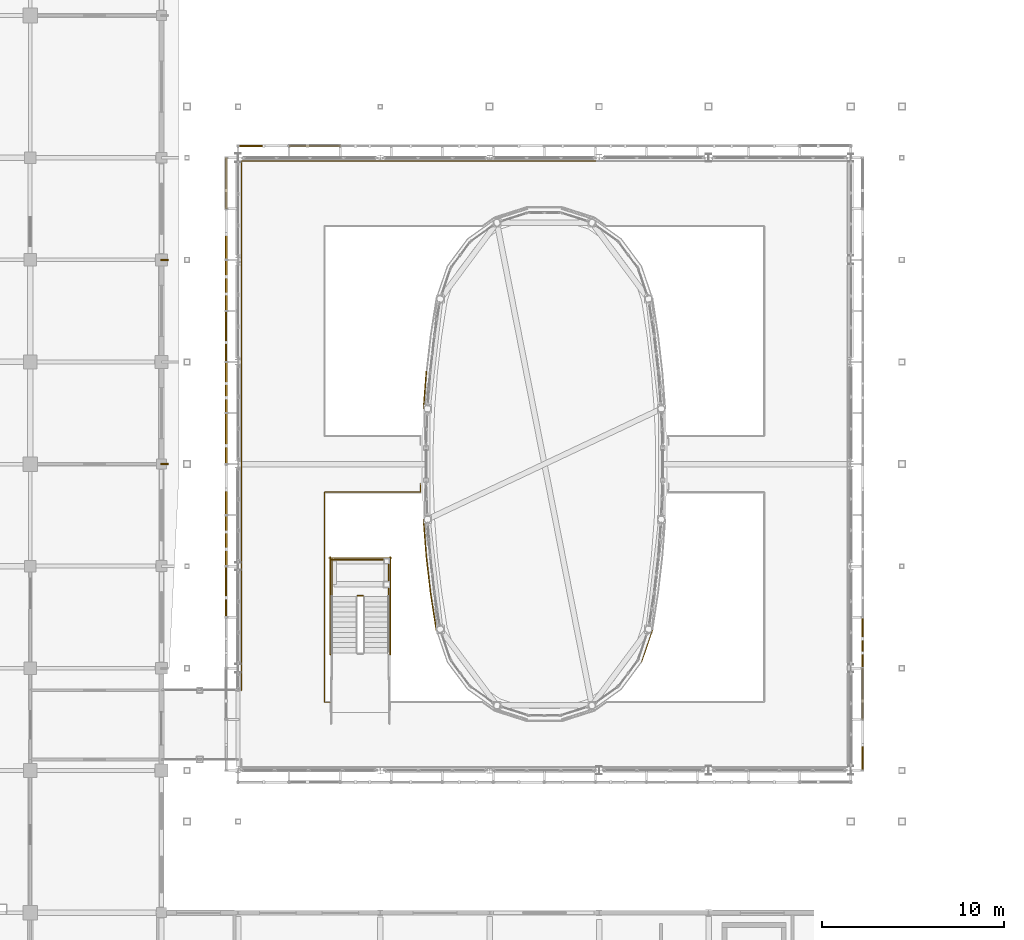
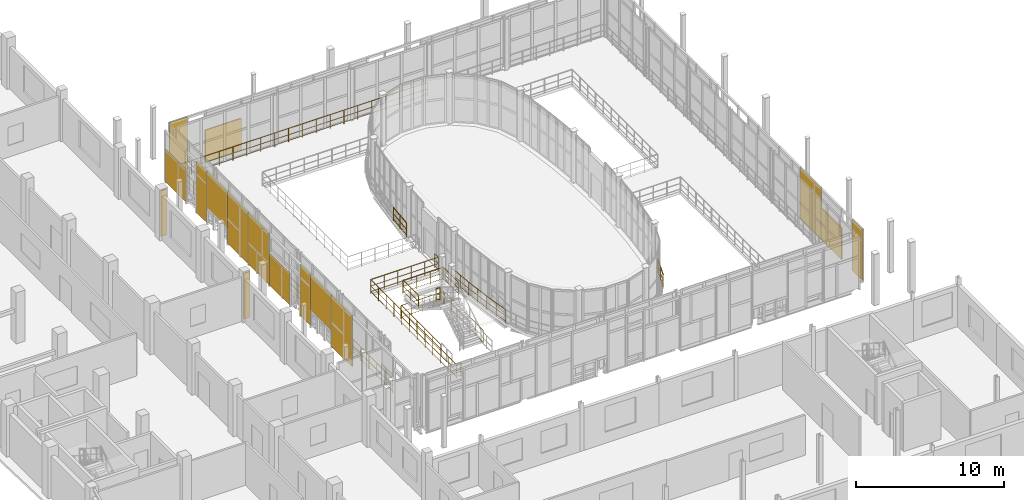
# One storey, part 112 of 121: 16 shading devices, 14 railings.
"""IFC4 building model written with IfcOpenShell, lengths in metres."""

from ifc_helpers import new_model, si_unit, direction, frame, origin, origin_2d, place, context, subcontext, project, spatial, rectangle, circle, extrude, material, type_object, element, save


model = new_model("IFC4")

# Units and contexts
model_context = context("Model", 3, precision=1e-05, world=origin(), true_north=direction((0.0, 1.0)))
body_context = subcontext(model_context, "Body", "Model", "MODEL_VIEW")
ifc_project = project(units=[si_unit("LENGTHUNIT", "METRE"), si_unit("AREAUNIT", "SQUARE_METRE"), si_unit("VOLUMEUNIT", "CUBIC_METRE"), si_unit("PLANEANGLEUNIT", "RADIAN"), si_unit("MASSUNIT", "GRAM", prefix="KILO")], contexts=[model_context])

# Site, building, storey
site_placement = place(None, origin())
site = spatial("IfcSite", under=ifc_project, at=site_placement, CompositionType="ELEMENT")
building_placement = place(site_placement, origin())
building = spatial("IfcBuilding", under=site, at=building_placement, Name="Vinh Khe Railworks Police Headquarters", CompositionType="ELEMENT")
storey_placement = place(building_placement, frame((0.0, 0.0, 4.800048828125)))
storey = spatial("IfcBuildingStorey", under=building, at=storey_placement, Name="L01", CompositionType="ELEMENT", Elevation=4.800048828125)

# Railings
ifc_material_1 = material(Name="Dark steel and laminated safety glass", Category="steel")
railing_type_1 = type_object("IfcRailingType", Name="RL-ATRIUM-1150", PredefinedType="BALUSTRADE", material=ifc_material_1)
railing_1_placement = place(storey_placement, frame((33.25, 34.780029296875, 2.099853515625)))
element("IfcRailing", 1, at=railing_1_placement, inside=storey, type_object=railing_type_1, Name="L01 ST-08 stair guard 2", PredefinedType="BALUSTRADE", context=body_context, shape_type="SweptSolid", body=[
    extrude(circle(Radius=0.02392578125, at=origin_2d()), frame((0.0, 0.0, 1.076171875), z_axis=(-1.0, 0.0, 0.0), x_axis=(0.0, -1.0, 0.0)), (0.0, 0.0, 1.0), 0.300048828125),
    extrude(circle(Radius=0.01416015625, at=origin_2d()), frame((0.0, 0.0, 0.132080078125), z_axis=(-1.0, 0.0, 0.0), x_axis=(0.0, -1.0, 0.0)), (0.0, 0.0, 1.0), 0.300048828125),
    extrude(circle(Radius=0.01416015625, at=origin_2d()), frame((0.0, 0.0, 0.572021484375), z_axis=(-1.0, 0.0, 0.0), x_axis=(0.0, -1.0, 0.0)), (0.0, 0.0, 1.0), 0.300048828125),
    extrude(circle(Radius=0.02099609375, at=origin_2d()), origin(), (0.0, 0.0, 1.0), 1.052001953125),
    extrude(circle(Radius=0.02099609375, at=origin_2d()), frame((-0.300048828125, 0.0, 0.0)), (0.0, 0.0, 1.0), 1.052001953125),
])
for number, where, name in (
    (2, (34.64990234375, 34.72998046875, 2.099853515625), "L01 ST-08 stair guard 3"),
    (3, (31.550048828125, 34.72998046875, 2.099853515625), "L01 ST-08 stair guard 4"),
):
    element("IfcRailing", number, at=place(storey_placement, frame(where)), inside=storey, type_object=railing_type_1, Name=name, PredefinedType="BALUSTRADE", context=body_context, shape_type="SweptSolid", body=[
        extrude(circle(Radius=0.02392578125, at=origin_2d()), frame((0.0, 0.0, 1.076171875), z_axis=(0.0, 1.0, 0.0), x_axis=(-1.0, 0.0, 0.0)), (0.0, 0.0, 1.0), 2.070068359375),
        extrude(circle(Radius=0.01416015625, at=origin_2d()), frame((0.0, 0.0, 0.132080078125), z_axis=(0.0, 1.0, 0.0), x_axis=(-1.0, 0.0, 0.0)), (0.0, 0.0, 1.0), 2.070068359375),
        extrude(circle(Radius=0.01416015625, at=origin_2d()), frame((0.0, 0.0, 0.572021484375), z_axis=(0.0, 1.0, 0.0), x_axis=(-1.0, 0.0, 0.0)), (0.0, 0.0, 1.0), 2.070068359375),
        extrude(circle(Radius=0.02099609375, at=origin_2d()), origin(), (0.0, 0.0, 1.0), 1.052001953125),
        extrude(circle(Radius=0.02099609375, at=origin_2d()), frame((0.0, 1.03515625, 0.0)), (0.0, 0.0, 1.0), 1.052001953125),
        extrude(circle(Radius=0.02099609375, at=origin_2d()), frame((0.0, 2.070068359375, 0.0)), (0.0, 0.0, 1.0), 1.052001953125),
    ])
railing_2_placement = place(storey_placement, frame((34.699951171875, 36.75, 2.099853515625)))
element("IfcRailing", 4, at=railing_2_placement, inside=storey, type_object=railing_type_1, Name="L01 ST-08 stair guard 5", PredefinedType="BALUSTRADE", context=body_context, shape_type="SweptSolid", body=[
    extrude(circle(Radius=0.02392578125, at=origin_2d()), frame((0.0, 0.0, 1.076171875), z_axis=(-1.0, 0.0, 0.0), x_axis=(0.0, -1.0, 0.0)), (0.0, 0.0, 1.0), 3.199951171875),
    extrude(circle(Radius=0.01416015625, at=origin_2d()), frame((0.0, 0.0, 0.132080078125), z_axis=(-1.0, 0.0, 0.0), x_axis=(0.0, -1.0, 0.0)), (0.0, 0.0, 1.0), 3.199951171875),
    extrude(circle(Radius=0.01416015625, at=origin_2d()), frame((0.0, 0.0, 0.572021484375), z_axis=(-1.0, 0.0, 0.0), x_axis=(0.0, -1.0, 0.0)), (0.0, 0.0, 1.0), 3.199951171875),
    extrude(circle(Radius=0.02099609375, at=origin_2d()), origin(), (0.0, 0.0, 1.0), 1.052001953125),
    extrude(circle(Radius=0.02099609375, at=origin_2d()), frame((-1.066650390625, 0.0, 0.0)), (0.0, 0.0, 1.0), 1.052001953125),
    extrude(circle(Radius=0.02099609375, at=origin_2d()), frame((-2.13330078125, 0.0, 0.0)), (0.0, 0.0, 1.0), 1.052001953125),
    extrude(circle(Radius=0.02099609375, at=origin_2d()), frame((-3.199951171875, 0.0, 0.0)), (0.0, 0.0, 1.0), 1.052001953125),
])
for number, where, name in (
    (5, (34.75, 31.550048828125, 0.0), "L01 ST-08 stair guard 10"),
    (6, (31.449951171875, 31.550048828125, 0.0), "L01 ST-08 stair guard 11"),
):
    element("IfcRailing", number, at=place(storey_placement, frame(where)), inside=storey, type_object=railing_type_1, Name=name, PredefinedType="BALUSTRADE", context=body_context, shape_type="SweptSolid", body=[
        extrude(circle(Radius=0.02392578125, at=origin_2d()), frame((0.0, 0.0, 1.076171875), z_axis=(0.0, 1.0, 0.0), x_axis=(-1.0, 0.0, 0.0)), (0.0, 0.0, 1.0), 5.349853515625),
        extrude(circle(Radius=0.01416015625, at=origin_2d()), frame((0.0, 0.0, 0.132080078125), z_axis=(0.0, 1.0, 0.0), x_axis=(-1.0, 0.0, 0.0)), (0.0, 0.0, 1.0), 5.349853515625),
        extrude(circle(Radius=0.01416015625, at=origin_2d()), frame((0.0, 0.0, 0.572021484375), z_axis=(0.0, 1.0, 0.0), x_axis=(-1.0, 0.0, 0.0)), (0.0, 0.0, 1.0), 5.349853515625),
        extrude(circle(Radius=0.02099609375, at=origin_2d()), origin(), (0.0, 0.0, 1.0), 1.052001953125),
        extrude(circle(Radius=0.02099609375, at=origin_2d()), frame((0.0, 1.070068359375, 0.0)), (0.0, 0.0, 1.0), 1.052001953125),
        extrude(circle(Radius=0.02099609375, at=origin_2d()), frame((0.0, 2.139892578125, 0.0)), (0.0, 0.0, 1.0), 1.052001953125),
        extrude(circle(Radius=0.02099609375, at=origin_2d()), frame((0.0, 3.2099609375, 0.0)), (0.0, 0.0, 1.0), 1.052001953125),
        extrude(circle(Radius=0.02099609375, at=origin_2d()), frame((0.0, 4.27978515625, 0.0)), (0.0, 0.0, 1.0), 1.052001953125),
        extrude(circle(Radius=0.02099609375, at=origin_2d()), frame((0.0, 5.349853515625, 0.0)), (0.0, 0.0, 1.0), 1.052001953125),
    ])
railing_3_placement = place(storey_placement, frame((34.800048828125, 36.85009765625, 0.0)))
element("IfcRailing", 7, at=railing_3_placement, inside=storey, type_object=railing_type_1, Name="L01 ST-08 stair guard 12", PredefinedType="BALUSTRADE", context=body_context, shape_type="SweptSolid", body=[
    extrude(circle(Radius=0.02392578125, at=origin_2d()), frame((0.0, 0.0, 1.076171875), z_axis=(-1.0, 0.0, 0.0), x_axis=(0.0, -1.0, 0.0)), (0.0, 0.0, 1.0), 3.400146484375),
    extrude(circle(Radius=0.01416015625, at=origin_2d()), frame((0.0, 0.0, 0.132080078125), z_axis=(-1.0, 0.0, 0.0), x_axis=(0.0, -1.0, 0.0)), (0.0, 0.0, 1.0), 3.400146484375),
    extrude(circle(Radius=0.01416015625, at=origin_2d()), frame((0.0, 0.0, 0.572021484375), z_axis=(-1.0, 0.0, 0.0), x_axis=(0.0, -1.0, 0.0)), (0.0, 0.0, 1.0), 3.400146484375),
    extrude(circle(Radius=0.02099609375, at=origin_2d()), origin(), (0.0, 0.0, 1.0), 1.052001953125),
    extrude(circle(Radius=0.02099609375, at=origin_2d()), frame((-0.85009765625, 0.0, 0.0)), (0.0, 0.0, 1.0), 1.052001953125),
    extrude(circle(Radius=0.02099609375, at=origin_2d()), frame((-1.7001953125, 0.0, 0.0)), (0.0, 0.0, 1.0), 1.052001953125),
    extrude(circle(Radius=0.02099609375, at=origin_2d()), frame((-2.550048828125, 0.0, 0.0)), (0.0, 0.0, 1.0), 1.052001953125),
    extrude(circle(Radius=0.02099609375, at=origin_2d()), frame((-3.400146484375, 0.0, 0.0)), (0.0, 0.0, 1.0), 1.052001953125),
])
railing_4_placement = place(storey_placement, frame((31.52001953125, 28.93994140625, 0.0)))
element("IfcRailing", 8, at=railing_4_placement, inside=storey, type_object=railing_type_1, Name="Atrium Balustrade GR-V1HOLE-L01-1-02", PredefinedType="BALUSTRADE", context=body_context, shape_type="SweptSolid", body=[
    extrude(circle(Radius=0.02392578125, at=origin_2d()), frame((0.0, 0.0, 1.1259765625), z_axis=(-1.0, 0.0, 0.0), x_axis=(0.0, -1.0, 0.0)), (0.0, 0.0, 1.0), 0.380126953125),
    extrude(circle(Radius=0.01416015625, at=origin_2d()), frame((0.0, 0.0, 0.137939453125), z_axis=(-1.0, 0.0, 0.0), x_axis=(0.0, -1.0, 0.0)), (0.0, 0.0, 1.0), 0.380126953125),
    extrude(circle(Radius=0.01416015625, at=origin_2d()), frame((0.0, 0.0, 0.597900390625), z_axis=(-1.0, 0.0, 0.0), x_axis=(0.0, -1.0, 0.0)), (0.0, 0.0, 1.0), 0.380126953125),
    extrude(circle(Radius=0.02392578125, at=origin_2d()), frame((-0.380126953125, 0.0, 1.1259765625), z_axis=(0.0, 1.0, 0.0), x_axis=(-1.0, 0.0, 0.0)), (0.0, 0.0, 1.0), 11.52001953125),
    extrude(circle(Radius=0.01416015625, at=origin_2d()), frame((-0.380126953125, 0.0, 0.137939453125), z_axis=(0.0, 1.0, 0.0), x_axis=(-1.0, 0.0, 0.0)), (0.0, 0.0, 1.0), 11.52001953125),
    extrude(circle(Radius=0.01416015625, at=origin_2d()), frame((-0.380126953125, 0.0, 0.597900390625), z_axis=(0.0, 1.0, 0.0), x_axis=(-1.0, 0.0, 0.0)), (0.0, 0.0, 1.0), 11.52001953125),
    extrude(circle(Radius=0.02392578125, at=origin_2d()), frame((-0.380126953125, 11.52001953125, 1.1259765625), z_axis=(1.0, 0.0, 0.0), x_axis=(0.0, 1.0, 0.0)), (0.0, 0.0, 1.0), 5.27001953125),
    extrude(circle(Radius=0.01416015625, at=origin_2d()), frame((-0.380126953125, 11.52001953125, 0.137939453125), z_axis=(1.0, 0.0, 0.0), x_axis=(0.0, 1.0, 0.0)), (0.0, 0.0, 1.0), 5.27001953125),
    extrude(circle(Radius=0.01416015625, at=origin_2d()), frame((-0.380126953125, 11.52001953125, 0.597900390625), z_axis=(1.0, 0.0, 0.0), x_axis=(0.0, 1.0, 0.0)), (0.0, 0.0, 1.0), 5.27001953125),
    extrude(circle(Radius=0.02392578125, at=origin_2d()), frame((4.889892578125, 11.52001953125, 1.1259765625), z_axis=(-0.038337515315, 0.999264847235, 0.0), x_axis=(-0.999264847235, -0.038337515315, 0.0)), (0.0, 0.0, 1.0), 0.490234375),
    extrude(circle(Radius=0.01416015625, at=origin_2d()), frame((4.889892578125, 11.52001953125, 0.137939453125), z_axis=(-0.038337515315, 0.999264847235, 0.0), x_axis=(-0.999264847235, -0.038337515315, 0.0)), (0.0, 0.0, 1.0), 0.490234375),
    extrude(circle(Radius=0.01416015625, at=origin_2d()), frame((4.889892578125, 11.52001953125, 0.597900390625), z_axis=(-0.038337515315, 0.999264847235, 0.0), x_axis=(-0.999264847235, -0.038337515315, 0.0)), (0.0, 0.0, 1.0), 0.490234375),
    extrude(circle(Radius=0.02099609375, at=origin_2d()), origin(), (0.0, 0.0, 1.0), 1.101806640625),
    extrude(circle(Radius=0.02099609375, at=origin_2d()), frame((-0.380126953125, 0.0, 0.0)), (0.0, 0.0, 1.0), 1.101806640625),
    extrude(circle(Radius=0.02099609375, at=origin_2d()), frame((-0.380126953125, 1.04736328125, 0.0)), (0.0, 0.0, 1.0), 1.101806640625),
    extrude(circle(Radius=0.02099609375, at=origin_2d()), frame((-0.380126953125, 2.094482421875, 0.0)), (0.0, 0.0, 1.0), 1.101806640625),
    extrude(circle(Radius=0.02099609375, at=origin_2d()), frame((-0.380126953125, 3.141845703125, 0.0)), (0.0, 0.0, 1.0), 1.101806640625),
    extrude(circle(Radius=0.02099609375, at=origin_2d()), frame((-0.380126953125, 4.189208984375, 0.0)), (0.0, 0.0, 1.0), 1.101806640625),
    extrude(circle(Radius=0.02099609375, at=origin_2d()), frame((-0.380126953125, 5.236328125, 0.0)), (0.0, 0.0, 1.0), 1.101806640625),
    extrude(circle(Radius=0.02099609375, at=origin_2d()), frame((-0.380126953125, 6.28369140625, 0.0)), (0.0, 0.0, 1.0), 1.101806640625),
    extrude(circle(Radius=0.02099609375, at=origin_2d()), frame((-0.380126953125, 7.330810546875, 0.0)), (0.0, 0.0, 1.0), 1.101806640625),
    extrude(circle(Radius=0.02099609375, at=origin_2d()), frame((-0.380126953125, 8.378173828125, 0.0)), (0.0, 0.0, 1.0), 1.101806640625),
    extrude(circle(Radius=0.02099609375, at=origin_2d()), frame((-0.380126953125, 9.425537109375, 0.0)), (0.0, 0.0, 1.0), 1.101806640625),
    extrude(circle(Radius=0.02099609375, at=origin_2d()), frame((-0.380126953125, 10.47265625, 0.0)), (0.0, 0.0, 1.0), 1.101806640625),
    extrude(circle(Radius=0.02099609375, at=origin_2d()), frame((-0.380126953125, 11.52001953125, 0.0)), (0.0, 0.0, 1.0), 1.101806640625),
    extrude(circle(Radius=0.02099609375, at=origin_2d()), frame((0.673828125, 11.52001953125, 0.0)), (0.0, 0.0, 1.0), 1.101806640625),
    extrude(circle(Radius=0.02099609375, at=origin_2d()), frame((1.727783203125, 11.52001953125, 0.0)), (0.0, 0.0, 1.0), 1.101806640625),
    extrude(circle(Radius=0.02099609375, at=origin_2d()), frame((2.781982421875, 11.52001953125, 0.0)), (0.0, 0.0, 1.0), 1.101806640625),
    extrude(circle(Radius=0.02099609375, at=origin_2d()), frame((3.8359375, 11.52001953125, 0.0)), (0.0, 0.0, 1.0), 1.101806640625),
    extrude(circle(Radius=0.02099609375, at=origin_2d()), frame((4.889892578125, 11.52001953125, 0.0)), (0.0, 0.0, 1.0), 1.101806640625),
    extrude(circle(Radius=0.02099609375, at=origin_2d()), frame((4.87109375, 12.010009765625, 0.0)), (0.0, 0.0, 1.0), 1.101806640625),
])
railing_5_placement = place(storey_placement, frame((46.02490234375, 58.6201171875, 0.0)))
element("IfcRailing", 9, at=railing_5_placement, inside=storey, type_object=railing_type_1, Name="Atrium Balustrade GR-V1PERIM-L01-06", PredefinedType="BALUSTRADE", context=body_context, shape_type="SweptSolid", body=[
    extrude(circle(Radius=0.02392578125, at=origin_2d()), frame((0.0, 0.0, 1.1259765625), z_axis=(-1.0, 0.0, 0.0), x_axis=(0.0, -1.0, 0.0)), (0.0, 0.0, 1.0), 19.44482421875),
    extrude(circle(Radius=0.01416015625, at=origin_2d()), frame((0.0, 0.0, 0.137939453125), z_axis=(-1.0, 0.0, 0.0), x_axis=(0.0, -1.0, 0.0)), (0.0, 0.0, 1.0), 19.44482421875),
    extrude(circle(Radius=0.01416015625, at=origin_2d()), frame((0.0, 0.0, 0.597900390625), z_axis=(-1.0, 0.0, 0.0), x_axis=(0.0, -1.0, 0.0)), (0.0, 0.0, 1.0), 19.44482421875),
    extrude(circle(Radius=0.02392578125, at=origin_2d()), frame((-19.44482421875, 0.0, 1.1259765625), z_axis=(0.0, -1.0, 0.0), x_axis=(1.0, 0.0, 0.0)), (0.0, 0.0, 1.0), 29.0400390625),
    extrude(circle(Radius=0.01416015625, at=origin_2d()), frame((-19.44482421875, 0.0, 0.137939453125), z_axis=(0.0, -1.0, 0.0), x_axis=(1.0, 0.0, 0.0)), (0.0, 0.0, 1.0), 29.0400390625),
    extrude(circle(Radius=0.01416015625, at=origin_2d()), frame((-19.44482421875, 0.0, 0.597900390625), z_axis=(0.0, -1.0, 0.0), x_axis=(1.0, 0.0, 0.0)), (0.0, 0.0, 1.0), 29.0400390625),
    extrude(circle(Radius=0.02099609375, at=origin_2d()), origin(), (0.0, 0.0, 1.0), 1.101806640625),
    extrude(circle(Radius=0.02099609375, at=origin_2d()), frame((-1.080322265625, 0.0, 0.0)), (0.0, 0.0, 1.0), 1.101806640625),
    extrude(circle(Radius=0.02099609375, at=origin_2d()), frame((-2.16064453125, 0.0, 0.0)), (0.0, 0.0, 1.0), 1.101806640625),
    extrude(circle(Radius=0.02099609375, at=origin_2d()), frame((-3.24072265625, 0.0, 0.0)), (0.0, 0.0, 1.0), 1.101806640625),
    extrude(circle(Radius=0.02099609375, at=origin_2d()), frame((-4.321044921875, 0.0, 0.0)), (0.0, 0.0, 1.0), 1.101806640625),
    extrude(circle(Radius=0.02099609375, at=origin_2d()), frame((-5.4013671875, 0.0, 0.0)), (0.0, 0.0, 1.0), 1.101806640625),
    extrude(circle(Radius=0.02099609375, at=origin_2d()), frame((-6.481689453125, 0.0, 0.0)), (0.0, 0.0, 1.0), 1.101806640625),
    extrude(circle(Radius=0.02099609375, at=origin_2d()), frame((-7.561767578125, 0.0, 0.0)), (0.0, 0.0, 1.0), 1.101806640625),
    extrude(circle(Radius=0.02099609375, at=origin_2d()), frame((-8.64208984375, 0.0, 0.0)), (0.0, 0.0, 1.0), 1.101806640625),
    extrude(circle(Radius=0.02099609375, at=origin_2d()), frame((-9.722412109375, 0.0, 0.0)), (0.0, 0.0, 1.0), 1.101806640625),
    extrude(circle(Radius=0.02099609375, at=origin_2d()), frame((-10.802734375, 0.0, 0.0)), (0.0, 0.0, 1.0), 1.101806640625),
    extrude(circle(Radius=0.02099609375, at=origin_2d()), frame((-11.883056640625, 0.0, 0.0)), (0.0, 0.0, 1.0), 1.101806640625),
    extrude(circle(Radius=0.02099609375, at=origin_2d()), frame((-12.963134765625, 0.0, 0.0)), (0.0, 0.0, 1.0), 1.101806640625),
    extrude(circle(Radius=0.02099609375, at=origin_2d()), frame((-14.04345703125, 0.0, 0.0)), (0.0, 0.0, 1.0), 1.101806640625),
    extrude(circle(Radius=0.02099609375, at=origin_2d()), frame((-15.123779296875, 0.0, 0.0)), (0.0, 0.0, 1.0), 1.101806640625),
    extrude(circle(Radius=0.02099609375, at=origin_2d()), frame((-16.2041015625, 0.0, 0.0)), (0.0, 0.0, 1.0), 1.101806640625),
    extrude(circle(Radius=0.02099609375, at=origin_2d()), frame((-17.2841796875, 0.0, 0.0)), (0.0, 0.0, 1.0), 1.101806640625),
    extrude(circle(Radius=0.02099609375, at=origin_2d()), frame((-18.364501953125, 0.0, 0.0)), (0.0, 0.0, 1.0), 1.101806640625),
    extrude(circle(Radius=0.02099609375, at=origin_2d()), frame((-19.44482421875, 0.0, 0.0)), (0.0, 0.0, 1.0), 1.101806640625),
    extrude(circle(Radius=0.02099609375, at=origin_2d()), frame((-19.44482421875, -1.075439453125, 0.0)), (0.0, 0.0, 1.0), 1.101806640625),
    extrude(circle(Radius=0.02099609375, at=origin_2d()), frame((-19.44482421875, -2.151123046875, 0.0)), (0.0, 0.0, 1.0), 1.101806640625),
    extrude(circle(Radius=0.02099609375, at=origin_2d()), frame((-19.44482421875, -3.2265625, 0.0)), (0.0, 0.0, 1.0), 1.101806640625),
    extrude(circle(Radius=0.02099609375, at=origin_2d()), frame((-19.44482421875, -4.30224609375, 0.0)), (0.0, 0.0, 1.0), 1.101806640625),
    extrude(circle(Radius=0.02099609375, at=origin_2d()), frame((-19.44482421875, -5.377685546875, 0.0)), (0.0, 0.0, 1.0), 1.101806640625),
    extrude(circle(Radius=0.02099609375, at=origin_2d()), frame((-19.44482421875, -6.453369140625, 0.0)), (0.0, 0.0, 1.0), 1.101806640625),
    extrude(circle(Radius=0.02099609375, at=origin_2d()), frame((-19.44482421875, -7.52880859375, 0.0)), (0.0, 0.0, 1.0), 1.101806640625),
    extrude(circle(Radius=0.02099609375, at=origin_2d()), frame((-19.44482421875, -8.6044921875, 0.0)), (0.0, 0.0, 1.0), 1.101806640625),
    extrude(circle(Radius=0.02099609375, at=origin_2d()), frame((-19.44482421875, -9.679931640625, 0.0)), (0.0, 0.0, 1.0), 1.101806640625),
    extrude(circle(Radius=0.02099609375, at=origin_2d()), frame((-19.44482421875, -10.755615234375, 0.0)), (0.0, 0.0, 1.0), 1.101806640625),
    extrude(circle(Radius=0.02099609375, at=origin_2d()), frame((-19.44482421875, -11.8310546875, 0.0)), (0.0, 0.0, 1.0), 1.101806640625),
    extrude(circle(Radius=0.02099609375, at=origin_2d()), frame((-19.44482421875, -12.90673828125, 0.0)), (0.0, 0.0, 1.0), 1.101806640625),
    extrude(circle(Radius=0.02099609375, at=origin_2d()), frame((-19.44482421875, -13.982177734375, 0.0)), (0.0, 0.0, 1.0), 1.101806640625),
    extrude(circle(Radius=0.02099609375, at=origin_2d()), frame((-19.44482421875, -15.057861328125, 0.0)), (0.0, 0.0, 1.0), 1.101806640625),
    extrude(circle(Radius=0.02099609375, at=origin_2d()), frame((-19.44482421875, -16.13330078125, 0.0)), (0.0, 0.0, 1.0), 1.101806640625),
    extrude(circle(Radius=0.02099609375, at=origin_2d()), frame((-19.44482421875, -17.208984375, 0.0)), (0.0, 0.0, 1.0), 1.101806640625),
    extrude(circle(Radius=0.02099609375, at=origin_2d()), frame((-19.44482421875, -18.284423828125, 0.0)), (0.0, 0.0, 1.0), 1.101806640625),
    extrude(circle(Radius=0.02099609375, at=origin_2d()), frame((-19.44482421875, -19.360107421875, 0.0)), (0.0, 0.0, 1.0), 1.101806640625),
    extrude(circle(Radius=0.02099609375, at=origin_2d()), frame((-19.44482421875, -20.435546875, 0.0)), (0.0, 0.0, 1.0), 1.101806640625),
    extrude(circle(Radius=0.02099609375, at=origin_2d()), frame((-19.44482421875, -21.51123046875, 0.0)), (0.0, 0.0, 1.0), 1.101806640625),
    extrude(circle(Radius=0.02099609375, at=origin_2d()), frame((-19.44482421875, -22.586669921875, 0.0)), (0.0, 0.0, 1.0), 1.101806640625),
    extrude(circle(Radius=0.02099609375, at=origin_2d()), frame((-19.44482421875, -23.662353515625, 0.0)), (0.0, 0.0, 1.0), 1.101806640625),
    extrude(circle(Radius=0.02099609375, at=origin_2d()), frame((-19.44482421875, -24.73779296875, 0.0)), (0.0, 0.0, 1.0), 1.101806640625),
    extrude(circle(Radius=0.02099609375, at=origin_2d()), frame((-19.44482421875, -25.8134765625, 0.0)), (0.0, 0.0, 1.0), 1.101806640625),
    extrude(circle(Radius=0.02099609375, at=origin_2d()), frame((-19.44482421875, -26.888916015625, 0.0)), (0.0, 0.0, 1.0), 1.101806640625),
    extrude(circle(Radius=0.02099609375, at=origin_2d()), frame((-19.44482421875, -27.964599609375, 0.0)), (0.0, 0.0, 1.0), 1.101806640625),
    extrude(circle(Radius=0.02099609375, at=origin_2d()), frame((-19.44482421875, -29.0400390625, 0.0)), (0.0, 0.0, 1.0), 1.101806640625),
])
ifc_material_2 = material(Name="Painted tubular steel", Category="steel")
railing_type_2 = type_object("IfcRailingType", Name="RL-GUARD-1100", PredefinedType="GUARDRAIL", material=ifc_material_2)
railing_6_placement = place(storey_placement, frame((36.724365234375, 47.069580078125, 0.0)))
element("IfcRailing", 10, at=railing_6_placement, inside=storey, type_object=railing_type_2, Name="Slab Corner Notch Guard L01-35", PredefinedType="GUARDRAIL", context=body_context, shape_type="SweptSolid", body=[
    extrude(circle(Radius=0.02392578125, at=origin_2d()), frame((0.0, 0.0, 1.09619140625), z_axis=(-0.076944728121, -0.997035359862, 0.0), x_axis=(0.997035359862, -0.076944728121, 0.0)), (0.0, 0.0, 1.0), 2.03076171875),
    extrude(circle(Radius=0.01416015625, at=origin_2d()), frame((0.0, 0.0, 0.134521484375), z_axis=(-0.076944728121, -0.997035359862, 0.0), x_axis=(0.997035359862, -0.076944728121, 0.0)), (0.0, 0.0, 1.0), 2.03076171875),
    extrude(circle(Radius=0.01416015625, at=origin_2d()), frame((0.0, 0.0, 0.58251953125), z_axis=(-0.076944728121, -0.997035359862, 0.0), x_axis=(0.997035359862, -0.076944728121, 0.0)), (0.0, 0.0, 1.0), 2.03076171875),
    extrude(circle(Radius=0.02099609375, at=origin_2d()), origin(), (0.0, 0.0, 1.0), 1.072021484375),
    extrude(circle(Radius=0.02099609375, at=origin_2d()), frame((-0.078125, -1.01220703125, 0.0)), (0.0, 0.0, 1.0), 1.072021484375),
    extrude(circle(Radius=0.02099609375, at=origin_2d()), frame((-0.15625, -2.024658203125, 0.0)), (0.0, 0.0, 1.0), 1.072021484375),
])
railing_7_placement = place(storey_placement, frame((36.568115234375, 38.955078125, 0.0)))
element("IfcRailing", 11, at=railing_7_placement, inside=storey, type_object=railing_type_2, Name="Slab Corner Notch Guard L01-36", PredefinedType="GUARDRAIL", context=body_context, shape_type="SweptSolid", body=[
    extrude(circle(Radius=0.02392578125, at=origin_2d()), frame((0.0, 0.0, 1.09619140625), z_axis=(0.076944728121, -0.997035359862, 0.0), x_axis=(0.997035359862, 0.076944728121, 0.0)), (0.0, 0.0, 1.0), 2.03076171875),
    extrude(circle(Radius=0.01416015625, at=origin_2d()), frame((0.0, 0.0, 0.134521484375), z_axis=(0.076944728121, -0.997035359862, 0.0), x_axis=(0.997035359862, 0.076944728121, 0.0)), (0.0, 0.0, 1.0), 2.03076171875),
    extrude(circle(Radius=0.01416015625, at=origin_2d()), frame((0.0, 0.0, 0.58251953125), z_axis=(0.076944728121, -0.997035359862, 0.0), x_axis=(0.997035359862, 0.076944728121, 0.0)), (0.0, 0.0, 1.0), 2.03076171875),
    extrude(circle(Radius=0.02099609375, at=origin_2d()), origin(), (0.0, 0.0, 1.0), 1.072021484375),
    extrude(circle(Radius=0.02099609375, at=origin_2d()), frame((0.078125, -1.01220703125, 0.0)), (0.0, 0.0, 1.0), 1.072021484375),
    extrude(circle(Radius=0.02099609375, at=origin_2d()), frame((0.15625, -2.024658203125, 0.0)), (0.0, 0.0, 1.0), 1.072021484375),
])
railing_8_placement = place(storey_placement, frame((36.724365234375, 36.930419921875, 0.0)))
element("IfcRailing", 12, at=railing_8_placement, inside=storey, type_object=railing_type_2, Name="Slab Corner Notch Guard L01-37", PredefinedType="GUARDRAIL", context=body_context, shape_type="SweptSolid", body=[
    extrude(circle(Radius=0.02392578125, at=origin_2d()), frame((0.0, 0.0, 1.09619140625), z_axis=(0.115285701027, -0.993332374958, 0.0), x_axis=(0.993332374958, 0.115285701027, 0.0)), (0.0, 0.0, 1.0), 2.03076171875),
    extrude(circle(Radius=0.01416015625, at=origin_2d()), frame((0.0, 0.0, 0.134521484375), z_axis=(0.115285701027, -0.993332374958, 0.0), x_axis=(0.993332374958, 0.115285701027, 0.0)), (0.0, 0.0, 1.0), 2.03076171875),
    extrude(circle(Radius=0.01416015625, at=origin_2d()), frame((0.0, 0.0, 0.58251953125), z_axis=(0.115285701027, -0.993332374958, 0.0), x_axis=(0.993332374958, 0.115285701027, 0.0)), (0.0, 0.0, 1.0), 2.03076171875),
    extrude(circle(Radius=0.02099609375, at=origin_2d()), origin(), (0.0, 0.0, 1.0), 1.072021484375),
    extrude(circle(Radius=0.02099609375, at=origin_2d()), frame((0.1171875, -1.0087890625, 0.0)), (0.0, 0.0, 1.0), 1.072021484375),
    extrude(circle(Radius=0.02099609375, at=origin_2d()), frame((0.234130859375, -2.017333984375, 0.0)), (0.0, 0.0, 1.0), 1.072021484375),
])
railing_9_placement = place(storey_placement, frame((36.95849609375, 34.9130859375, 0.0)))
element("IfcRailing", 13, at=railing_9_placement, inside=storey, type_object=railing_type_2, Name="Slab Corner Notch Guard L01-38", PredefinedType="GUARDRAIL", context=body_context, shape_type="SweptSolid", body=[
    extrude(circle(Radius=0.02392578125, at=origin_2d()), frame((0.0, 0.0, 1.09619140625), z_axis=(0.153455860094, -0.988155503452, 0.0), x_axis=(0.988155503452, 0.153455860094, 0.0)), (0.0, 0.0, 1.0), 2.0458984375),
    extrude(circle(Radius=0.01416015625, at=origin_2d()), frame((0.0, 0.0, 0.134521484375), z_axis=(0.153455860094, -0.988155503452, 0.0), x_axis=(0.988155503452, 0.153455860094, 0.0)), (0.0, 0.0, 1.0), 2.0458984375),
    extrude(circle(Radius=0.01416015625, at=origin_2d()), frame((0.0, 0.0, 0.58251953125), z_axis=(0.153455860094, -0.988155503452, 0.0), x_axis=(0.988155503452, 0.153455860094, 0.0)), (0.0, 0.0, 1.0), 2.0458984375),
    extrude(circle(Radius=0.02099609375, at=origin_2d()), origin(), (0.0, 0.0, 1.0), 1.072021484375),
    extrude(circle(Radius=0.02099609375, at=origin_2d()), frame((0.156982421875, -1.0107421875, 0.0)), (0.0, 0.0, 1.0), 1.072021484375),
    extrude(circle(Radius=0.02099609375, at=origin_2d()), frame((0.31396484375, -2.021728515625, 0.0)), (0.0, 0.0, 1.0), 1.072021484375),
])
railing_10_placement = place(storey_placement, frame((48.53125, 31.142578125, 0.0)))
element("IfcRailing", 14, at=railing_10_placement, inside=storey, type_object=railing_type_2, Name="Slab Corner Notch Guard L01-46", PredefinedType="GUARDRAIL", context=body_context, shape_type="SweptSolid", body=[
    extrude(circle(Radius=0.02392578125, at=origin_2d()), frame((0.0, 0.0, 1.09619140625), z_axis=(0.322681999165, 0.946507436534, 0.0), x_axis=(-0.946507436534, 0.322681999165, 0.0)), (0.0, 0.0, 1.0), 1.84765625),
    extrude(circle(Radius=0.01416015625, at=origin_2d()), frame((0.0, 0.0, 0.134521484375), z_axis=(0.322681999165, 0.946507436534, 0.0), x_axis=(-0.946507436534, 0.322681999165, 0.0)), (0.0, 0.0, 1.0), 1.84765625),
    extrude(circle(Radius=0.01416015625, at=origin_2d()), frame((0.0, 0.0, 0.58251953125), z_axis=(0.322681999165, 0.946507436534, 0.0), x_axis=(-0.946507436534, 0.322681999165, 0.0)), (0.0, 0.0, 1.0), 1.84765625),
    extrude(circle(Radius=0.02099609375, at=origin_2d()), origin(), (0.0, 0.0, 1.0), 1.072021484375),
    extrude(circle(Radius=0.02099609375, at=origin_2d()), frame((0.298095703125, 0.87451171875, 0.0)), (0.0, 0.0, 1.0), 1.072021484375),
    extrude(circle(Radius=0.02099609375, at=origin_2d()), frame((0.59619140625, 1.748779296875, 0.0)), (0.0, 0.0, 1.0), 1.072021484375),
])

# Shading devices
ifc_material_3 = material(Name="Salvaged ironwood timber", Category="wood")
shading_device_type_1 = type_object("IfcShadingDeviceType", Name="SHD-MSF-01", PredefinedType="JALOUSIE", material=ifc_material_3)
for number, where, z_axis, x_axis, name in (
    (15, (22.360107421875, 42.0, 0.10009765625), (0.0, 0.0, 1.0), (1.0, 0.0, 0.0), "Monsoon Court Solar Fin V5 L01-2"),
    (16, (22.360107421875, 53.199951171875, 0.10009765625), (0.0, 0.0, 1.0), (1.0, 0.0, 0.0), "Monsoon Court Solar Fin V5 L01-3"),
):
    element("IfcShadingDevice", number, at=place(storey_placement, frame(where, z_axis=z_axis, x_axis=x_axis)), inside=storey, type_object=shading_device_type_1, Name=name, PredefinedType="JALOUSIE", context=body_context, shape_type="SweptSolid", body=[
        extrude(rectangle(XDim=0.419921875, YDim=0.080078125, at=origin_2d()), origin(), (0.0, 0.0, 1.0), 3.780029296875),
    ])
shading_device_type_2 = type_object("IfcShadingDeviceType", Name="SHD-QS-01", PredefinedType="JALOUSIE", material=ifc_material_3)
for number, where, z_axis, x_axis, name in (
    (17, (30.60009765625, 59.449951171875, 0.0), (0.0, 0.0, 1.0), (1.0, 0.0, 0.0), "Salvaged Ironwood Quilt Casement N-2"),
    (18, (60.64990234375, 29.39990234375, 0.0), (0.0, 0.0, 1.0), (0.0, 1.0, 0.0), "Salvaged Ironwood Quilt Casement E-2"),
):
    element("IfcShadingDevice", number, at=place(storey_placement, frame(where, z_axis=z_axis, x_axis=x_axis)), inside=storey, type_object=shading_device_type_2, Name=name, PredefinedType="JALOUSIE", context=body_context, shape_type="SweptSolid", body=[
        extrude(rectangle(XDim=2.800048828125, YDim=0.090087890625, at=origin_2d()), origin(), (0.0, 0.0, 1.0), 2.60400390625),
    ])
shading_device_1_placement = place(storey_placement, frame((25.75, 37.800048828125, 1.260009765625), z_axis=(0.0, 0.0, 1.0), x_axis=(0.0, 1.0, 0.0)))
element("IfcShadingDevice", 19, at=shading_device_1_placement, inside=storey, type_object=shading_device_type_2, Name="Salvaged Ironwood Upper Quilt Frame W-5", PredefinedType="JALOUSIE", context=body_context, shape_type="SweptSolid", body=[
    extrude(rectangle(XDim=2.800048828125, YDim=0.090087890625, at=origin_2d()), origin(), (0.0, 0.0, 1.0), 2.93994140625),
])
shading_device_2_placement = place(storey_placement, frame((25.75, 43.39990234375, 0.0), z_axis=(0.0, 0.0, 1.0), x_axis=(0.0, 1.0, 0.0)))
element("IfcShadingDevice", 20, at=shading_device_2_placement, inside=storey, type_object=shading_device_type_2, Name="Salvaged Ironwood Quilt Casement W-7", PredefinedType="JALOUSIE", context=body_context, shape_type="SweptSolid", body=[
    extrude(rectangle(XDim=2.800048828125, YDim=0.090087890625, at=origin_2d()), origin(), (0.0, 0.0, 1.0), 2.60400390625),
])
shading_device_3_placement = place(storey_placement, frame((25.75, 51.800048828125, 1.260009765625), z_axis=(0.0, 0.0, 1.0), x_axis=(0.0, 1.0, 0.0)))
element("IfcShadingDevice", 21, at=shading_device_3_placement, inside=storey, type_object=shading_device_type_2, Name="Salvaged Ironwood Upper Quilt Frame W-10", PredefinedType="JALOUSIE", context=body_context, shape_type="SweptSolid", body=[
    extrude(rectangle(XDim=2.800048828125, YDim=0.090087890625, at=origin_2d()), origin(), (0.0, 0.0, 1.0), 2.93994140625),
])
shading_device_4_placement = place(storey_placement, frame((25.75, 57.39990234375, 0.0), z_axis=(0.0, 0.0, 1.0), x_axis=(0.0, 1.0, 0.0)))
element("IfcShadingDevice", 22, at=shading_device_4_placement, inside=storey, type_object=shading_device_type_2, Name="Salvaged Ironwood Quilt Casement W-12", PredefinedType="JALOUSIE", context=body_context, shape_type="SweptSolid", body=[
    extrude(rectangle(XDim=2.800048828125, YDim=0.090087890625, at=origin_2d()), origin(), (0.0, 0.0, 1.0), 2.60400390625),
])
shading_device_type_3 = type_object("IfcShadingDeviceType", Name="SHD-QS-02", PredefinedType="JALOUSIE", material=ifc_material_3)
for number, where, z_axis, x_axis, name in (
    (23, (27.10009765625, 59.449951171875, 0.0), (0.0, 0.0, 1.0), (1.0, 0.0, 0.0), "Ironwood Tall Quilt Casement N-1L"),
    (24, (60.64990234375, 25.89990234375, 0.0), (0.0, 0.0, 1.0), (0.0, 1.0, 0.0), "Ironwood Tall Quilt Casement E-1L"),
    (25, (25.75, 39.89990234375, 0.0), (0.0, 0.0, 1.0), (0.0, 1.0, 0.0), "Ironwood Tall Quilt Casement W-6L"),
    (26, (25.75, 53.89990234375, 0.0), (0.0, 0.0, 1.0), (0.0, 1.0, 0.0), "Ironwood Tall Quilt Casement W-11L"),
):
    element("IfcShadingDevice", number, at=place(storey_placement, frame(where, z_axis=z_axis, x_axis=x_axis)), inside=storey, type_object=shading_device_type_3, Name=name, PredefinedType="JALOUSIE", context=body_context, shape_type="SweptSolid", body=[
        extrude(rectangle(XDim=1.39990234375, YDim=0.090087890625, at=origin_2d()), origin(), (0.0, 0.0, 1.0), 4.199951171875),
    ])
ifc_material_4 = material(Name="Weathered architectural steel", Category="steel")
shading_device_type_4 = type_object("IfcShadingDeviceType", Name="SHD-QS-03", PredefinedType="SHUTTER", material=ifc_material_4)
for number, where, z_axis, x_axis, name in (
    (27, (25.75, 35.0, 0.0), (0.0, 0.0, 1.0), (0.0, 1.0, 0.0), "Dark Steel Patchwork Casement Frame W-4"),
    (28, (25.75, 49.0, 0.0), (0.0, 0.0, 1.0), (0.0, 1.0, 0.0), "Dark Steel Patchwork Casement Frame W-9"),
):
    element("IfcShadingDevice", number, at=place(storey_placement, frame(where, z_axis=z_axis, x_axis=x_axis)), inside=storey, type_object=shading_device_type_4, Name=name, PredefinedType="SHUTTER", context=body_context, shape_type="SweptSolid", body=[
        extrude(rectangle(XDim=2.800048828125, YDim=0.080078125, at=origin_2d()), origin(), (0.0, 0.0, 1.0), 4.199951171875),
    ])
shading_device_type_5 = type_object("IfcShadingDeviceType", Name="SHD-QS-04", PredefinedType="SHUTTER", material=ifc_material_3)
for number, where, z_axis, x_axis, name in (
    (29, (60.64990234375, 32.199951171875, 0.0), (0.0, 0.0, 1.0), (0.0, 1.0, 0.0), "Shuttered Ironwood Casement E-3"),
    (30, (25.75, 46.199951171875, 0.0), (0.0, 0.0, 1.0), (0.0, 1.0, 0.0), "Shuttered Ironwood Casement W-8"),
):
    element("IfcShadingDevice", number, at=place(storey_placement, frame(where, z_axis=z_axis, x_axis=x_axis)), inside=storey, type_object=shading_device_type_5, Name=name, PredefinedType="SHUTTER", context=body_context, shape_type="SweptSolid", body=[
        extrude(rectangle(XDim=2.800048828125, YDim=0.090087890625, at=origin_2d()), origin(), (0.0, 0.0, 1.0), 4.199951171875),
    ])

save(model, "model.ifc")
